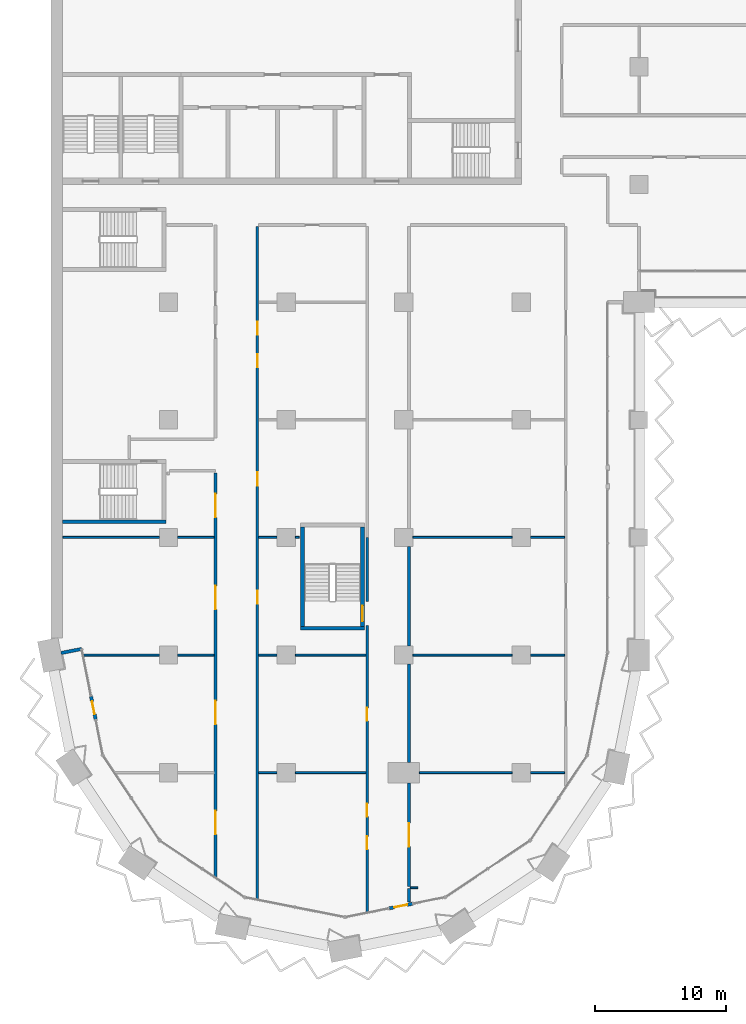
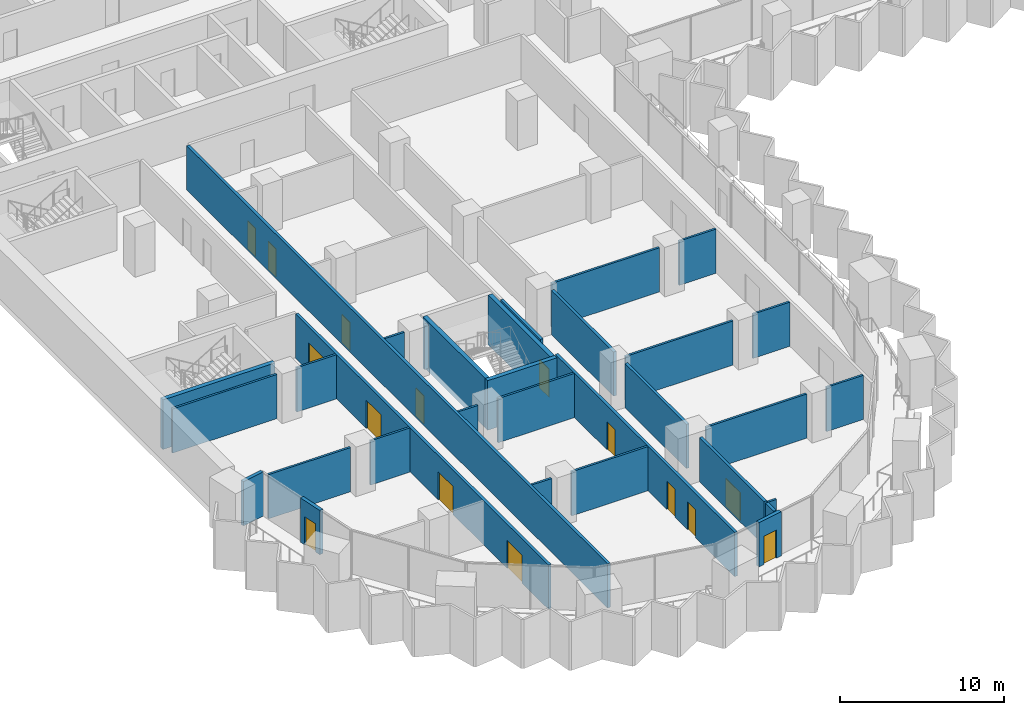
# One storey, part 10 of 28: 32 walls, 15 doors, 15 openings.
"""IFC4 building model written with IfcOpenShell, lengths in metres."""

from ifc_helpers import new_model, si_unit, direction, frame, frame_2d, origin, place, context, subcontext, project, spatial, rectangle, extrude, material, layer, layer_set, type_object, element, fill, save


model = new_model("IFC4")

# Units and contexts
model_context = context("Model", 3, precision=1e-05, world=origin(), true_north=direction((0.0, 1.0)))
body_context = subcontext(model_context, "Body", "Model", "MODEL_VIEW")
ifc_project = project(units=[si_unit("LENGTHUNIT", "METRE"), si_unit("AREAUNIT", "SQUARE_METRE"), si_unit("VOLUMEUNIT", "CUBIC_METRE"), si_unit("PLANEANGLEUNIT", "RADIAN"), si_unit("MASSUNIT", "GRAM", prefix="KILO")], contexts=[model_context])

# Site, building, storey
site_placement = place(None, origin())
site = spatial("IfcSite", under=ifc_project, at=site_placement, CompositionType="ELEMENT")
building_placement = place(site_placement, origin())
building = spatial("IfcBuilding", under=site, at=building_placement, Name="Hunhe Ridgeline Campus", CompositionType="ELEMENT")
storey_placement = place(building_placement, frame((0.0, 0.0, 72.800048828125)))
storey = spatial("IfcBuildingStorey", under=building, at=storey_placement, Name="L17", CompositionType="ELEMENT", Elevation=72.800048828125)

# Wall
ifc_material_1 = material(Name="Concrete C30", Category="concrete")
ifc_layer_1 = layer(ifc_material_1, 0.25)
ifc_layer_set_1 = layer_set([ifc_layer_1], Name="Corner return wall 250 Concrete C30")
wall_type_1 = type_object("IfcWallType", Name="Corner return wall 250 Concrete C30", PredefinedType="SOLIDWALL", material=ifc_layer_set_1)
wall_1_placement = place(storey_placement, frame((0.784423828125, 27.15673828125, 0.0), z_axis=(0.0, 0.0, 1.0), x_axis=(0.980826234823, 0.19488431718, 0.0)))
element("IfcWall", 1, at=wall_1_placement, inside=storey, type_object=wall_type_1, Name="Corner return wall 1", PredefinedType="SOLIDWALL", context=body_context, shape_type="SweptSolid", body=[
    extrude(rectangle(XDim=1.60107421875, YDim=0.25, at=frame_2d((0.800537109375, 0.0))), origin(), (0.0, 0.0, 1.0), 3.300048828125),
])

# Wall, openings, doors
ifc_material_2 = material(Name="Gypsum board partition")
ifc_layer_2 = layer(ifc_material_2, 0.199951171875)
ifc_layer_set_2 = layer_set([ifc_layer_2], Name="Corridor partition 200 gypsum board on steel studs")
wall_type_2 = type_object("IfcWallType", Name="Corridor partition 200 gypsum board on steel studs", PredefinedType="PARTITIONING", material=ifc_layer_set_2)
wall_2_placement = place(storey_placement, frame((12.60009765625, 10.027099609375, 0.0), z_axis=(0.0, 0.0, 1.0), x_axis=(0.0, 1.0, 0.0)))
wall_2 = element("IfcWall", 2, at=wall_2_placement, inside=storey, type_object=wall_type_2, Name="F-L17-wall-047", PredefinedType="PARTITIONING", context=body_context, shape_type="SweptSolid", body=[
    extrude(rectangle(XDim=30.921142578125, YDim=0.199951171875, at=frame_2d((15.46044921875, 0.0))), origin(), (0.0, 0.0, 1.0), 3.300048828125),
])
opening_1_placement = place(wall_2_placement, frame((3.248046875, 0.0, 0.0)))
opening_1 = element("IfcOpeningElement", 3, at=opening_1_placement, cuts=wall_2, Name="Opening RD2-003", PredefinedType="OPENING", context=body_context, shape_type="SweptSolid", body=[
    extrude(rectangle(XDim=1.800048828125, YDim=2.10009765625, at=frame_2d((0.89990234375, 1.050048828125))), frame((0.0, 0.10009765625, 0.0), z_axis=(0.0, -1.0, 0.0), x_axis=(1.0, 0.0, 0.0)), (0.0, 0.0, 1.0), 0.199951171875),
])
opening_2_placement = place(wall_2_placement, frame((11.669677734375, 0.0, 0.0)))
opening_2 = element("IfcOpeningElement", 4, at=opening_2_placement, cuts=wall_2, Name="Opening RD2-007", PredefinedType="OPENING", context=body_context, shape_type="SweptSolid", body=[
    extrude(rectangle(XDim=1.800048828125, YDim=2.10009765625, at=frame_2d((0.89990234375, 1.050048828125))), frame((0.0, 0.10009765625, 0.0), z_axis=(0.0, -1.0, 0.0), x_axis=(1.0, 0.0, 0.0)), (0.0, 0.0, 1.0), 0.199951171875),
])
opening_3_placement = place(wall_2_placement, frame((20.46826171875, 0.0, 0.0)))
opening_3 = element("IfcOpeningElement", 5, at=opening_3_placement, cuts=wall_2, Name="Opening RD2-008", PredefinedType="OPENING", context=body_context, shape_type="SweptSolid", body=[
    extrude(rectangle(XDim=1.800048828125, YDim=2.10009765625, at=frame_2d((0.89990234375, 1.050048828125))), frame((0.0, 0.10009765625, 0.0), z_axis=(0.0, -1.0, 0.0), x_axis=(1.0, 0.0, 0.0)), (0.0, 0.0, 1.0), 0.199951171875),
])
opening_4_placement = place(wall_2_placement, frame((27.50732421875, 0.0, 0.0)))
opening_4 = element("IfcOpeningElement", 6, at=opening_4_placement, cuts=wall_2, Name="Opening RD2-011", PredefinedType="OPENING", context=body_context, shape_type="SweptSolid", body=[
    extrude(rectangle(XDim=1.800048828125, YDim=2.10009765625, at=frame_2d((0.89990234375, 1.050048828125))), frame((0.0, 0.10009765625, 0.0), z_axis=(0.0, -1.0, 0.0), x_axis=(1.0, 0.0, 0.0)), (0.0, 0.0, 1.0), 0.199951171875),
])
ifc_material_3 = material(Name="Timber door leaf", Category="wood")
door_type_1 = type_object("IfcDoorType", Name="Double fire door 1800x2100 timber FD60", OperationType="DOUBLE_DOOR_SINGLE_SWING", PredefinedType="DOOR", material=ifc_material_3)
door_1_placement = place(opening_1_placement, origin())
door_1 = element("IfcDoor", 7, at=door_1_placement, inside=storey, type_object=door_type_1, Name="F-L17-door-003", OperationType="DOUBLE_DOOR_SINGLE_SWING", OverallHeight=2.10009765625, OverallWidth=1.800048828125, PredefinedType="DOOR", context=body_context, shape_type="SweptSolid", body=[
    extrude(rectangle(XDim=1.800048828125, YDim=2.10009765625, at=frame_2d((0.89990234375, 1.050048828125))), frame((0.0, 0.02490234375, 0.0), z_axis=(0.0, -1.0, 0.0), x_axis=(1.0, 0.0, 0.0)), (0.0, 0.0, 1.0), 0.050048828125),
])
fill(opening_1, door_1)
door_2_placement = place(opening_2_placement, origin())
door_2 = element("IfcDoor", 8, at=door_2_placement, inside=storey, type_object=door_type_1, Name="F-L17-door-007", OperationType="DOUBLE_DOOR_SINGLE_SWING", OverallHeight=2.10009765625, OverallWidth=1.800048828125, PredefinedType="DOOR", context=body_context, shape_type="SweptSolid", body=[
    extrude(rectangle(XDim=1.800048828125, YDim=2.10009765625, at=frame_2d((0.89990234375, 1.050048828125))), frame((0.0, 0.02490234375, 0.0), z_axis=(0.0, -1.0, 0.0), x_axis=(1.0, 0.0, 0.0)), (0.0, 0.0, 1.0), 0.050048828125),
])
fill(opening_2, door_2)
door_3_placement = place(opening_3_placement, origin())
door_3 = element("IfcDoor", 9, at=door_3_placement, inside=storey, type_object=door_type_1, Name="F-L17-door-008", OperationType="DOUBLE_DOOR_SINGLE_SWING", OverallHeight=2.10009765625, OverallWidth=1.800048828125, PredefinedType="DOOR", context=body_context, shape_type="SweptSolid", body=[
    extrude(rectangle(XDim=1.800048828125, YDim=2.10009765625, at=frame_2d((0.89990234375, 1.050048828125))), frame((0.0, 0.02490234375, 0.0), z_axis=(0.0, -1.0, 0.0), x_axis=(1.0, 0.0, 0.0)), (0.0, 0.0, 1.0), 0.050048828125),
])
fill(opening_3, door_3)
door_4_placement = place(opening_4_placement, origin())
door_4 = element("IfcDoor", 10, at=door_4_placement, inside=storey, type_object=door_type_1, Name="F-L17-door-011", OperationType="DOUBLE_DOOR_SINGLE_SWING", OverallHeight=2.10009765625, OverallWidth=1.800048828125, PredefinedType="DOOR", context=body_context, shape_type="SweptSolid", body=[
    extrude(rectangle(XDim=1.800048828125, YDim=2.10009765625, at=frame_2d((0.89990234375, 1.050048828125))), frame((0.0, 0.02490234375, 0.0), z_axis=(0.0, -1.0, 0.0), x_axis=(1.0, 0.0, 0.0)), (0.0, 0.0, 1.0), 0.050048828125),
])
fill(opening_4, door_4)

wall_3_placement = place(storey_placement, frame((15.800048828125, 59.800048828125, 0.0), z_axis=(0.0, 0.0, 1.0), x_axis=(0.0, -1.0, 0.0)))
wall_3 = element("IfcWall", 11, at=wall_3_placement, inside=storey, type_object=wall_type_2, Name="F-L17-wall-049", PredefinedType="PARTITIONING", context=body_context, shape_type="SweptSolid", body=[
    extrude(rectangle(XDim=51.46435546875, YDim=0.199951171875, at=frame_2d((25.732177734375, 0.0))), origin(), (0.0, 0.0, 1.0), 3.300048828125),
])
opening_5_placement = place(wall_3_placement, frame((27.8681640625, 0.0, 0.0)))
opening_5 = element("IfcOpeningElement", 12, at=opening_5_placement, cuts=wall_3, Name="Opening RD1-009", PredefinedType="OPENING", context=body_context, shape_type="SweptSolid", body=[
    extrude(rectangle(XDim=1.0, YDim=2.10009765625, at=frame_2d((0.5, 1.050048828125))), frame((0.0, 0.10009765625, 0.0), z_axis=(0.0, -1.0, 0.0), x_axis=(1.0, 0.0, 0.0)), (0.0, 0.0, 1.0), 0.199951171875),
])
opening_6_placement = place(wall_3_placement, frame((18.83056640625, 0.0, 0.0)))
opening_6 = element("IfcOpeningElement", 13, at=opening_6_placement, cuts=wall_3, Name="Opening RD1-012", PredefinedType="OPENING", context=body_context, shape_type="SweptSolid", body=[
    extrude(rectangle(XDim=1.0, YDim=2.10009765625, at=frame_2d((0.5, 1.050048828125))), frame((0.0, 0.10009765625, 0.0), z_axis=(0.0, -1.0, 0.0), x_axis=(1.0, 0.0, 0.0)), (0.0, 0.0, 1.0), 0.199951171875),
])
opening_7_placement = place(wall_3_placement, frame((9.792724609375, 0.0, 0.0)))
opening_7 = element("IfcOpeningElement", 14, at=opening_7_placement, cuts=wall_3, Name="Opening RD1-014", PredefinedType="OPENING", context=body_context, shape_type="SweptSolid", body=[
    extrude(rectangle(XDim=1.0, YDim=2.10009765625, at=frame_2d((0.5, 1.050048828125))), frame((0.0, 0.10009765625, 0.0), z_axis=(0.0, -1.0, 0.0), x_axis=(1.0, 0.0, 0.0)), (0.0, 0.0, 1.0), 0.199951171875),
])
opening_8_placement = place(wall_3_placement, frame((7.292724609375, 0.0, 0.0)))
opening_8 = element("IfcOpeningElement", 15, at=opening_8_placement, cuts=wall_3, Name="Opening RD1-016", PredefinedType="OPENING", context=body_context, shape_type="SweptSolid", body=[
    extrude(rectangle(XDim=1.0, YDim=2.10009765625, at=frame_2d((0.5, 1.050048828125))), frame((0.0, 0.10009765625, 0.0), z_axis=(0.0, -1.0, 0.0), x_axis=(1.0, 0.0, 0.0)), (0.0, 0.0, 1.0), 0.199951171875),
])
door_type_2 = type_object("IfcDoorType", Name="Single fire door 1000x2100 timber FD60", OperationType="NOTDEFINED", PredefinedType="DOOR", material=ifc_material_3)
door_5_placement = place(opening_5_placement, origin())
door_5 = element("IfcDoor", 16, at=door_5_placement, inside=storey, type_object=door_type_2, Name="F-L17-door-009", OperationType="SINGLE_SWING_LEFT", OverallHeight=2.10009765625, OverallWidth=1.0, PredefinedType="DOOR", context=body_context, shape_type="SweptSolid", body=[
    extrude(rectangle(XDim=1.0, YDim=2.10009765625, at=frame_2d((0.5, 1.050048828125))), frame((0.0, 0.02490234375, 0.0), z_axis=(0.0, -1.0, 0.0), x_axis=(1.0, 0.0, 0.0)), (0.0, 0.0, 1.0), 0.050048828125),
])
fill(opening_5, door_5)
door_6_placement = place(opening_6_placement, origin())
door_6 = element("IfcDoor", 17, at=door_6_placement, inside=storey, type_object=door_type_2, Name="F-L17-door-012", OperationType="SINGLE_SWING_LEFT", OverallHeight=2.10009765625, OverallWidth=1.0, PredefinedType="DOOR", context=body_context, shape_type="SweptSolid", body=[
    extrude(rectangle(XDim=1.0, YDim=2.10009765625, at=frame_2d((0.5, 1.050048828125))), frame((0.0, 0.02490234375, 0.0), z_axis=(0.0, -1.0, 0.0), x_axis=(1.0, 0.0, 0.0)), (0.0, 0.0, 1.0), 0.050048828125),
])
fill(opening_6, door_6)
door_7_placement = place(opening_7_placement, frame((1.0, 0.0, 0.0), z_axis=(0.0, 0.0, 1.0), x_axis=(-1.0, 0.0, 0.0)))
door_7 = element("IfcDoor", 18, at=door_7_placement, inside=storey, type_object=door_type_2, Name="F-L17-door-014", OperationType="SINGLE_SWING_RIGHT", OverallHeight=2.10009765625, OverallWidth=1.0, PredefinedType="DOOR", context=body_context, shape_type="SweptSolid", body=[
    extrude(rectangle(XDim=1.0, YDim=2.10009765625, at=frame_2d((0.5, 1.050048828125))), frame((0.0, 0.02490234375, 0.0), z_axis=(0.0, -1.0, 0.0), x_axis=(1.0, 0.0, 0.0)), (0.0, 0.0, 1.0), 0.050048828125),
])
fill(opening_7, door_7)
door_8_placement = place(opening_8_placement, frame((1.0, 0.0, 0.0), z_axis=(0.0, 0.0, 1.0), x_axis=(-1.0, 0.0, 0.0)))
door_8 = element("IfcDoor", 19, at=door_8_placement, inside=storey, type_object=door_type_2, Name="F-L17-door-016", OperationType="SINGLE_SWING_RIGHT", OverallHeight=2.10009765625, OverallWidth=1.0, PredefinedType="DOOR", context=body_context, shape_type="SweptSolid", body=[
    extrude(rectangle(XDim=1.0, YDim=2.10009765625, at=frame_2d((0.5, 1.050048828125))), frame((0.0, 0.02490234375, 0.0), z_axis=(0.0, -1.0, 0.0), x_axis=(1.0, 0.0, 0.0)), (0.0, 0.0, 1.0), 0.050048828125),
])
fill(opening_8, door_8)

# Wall
wall_4_placement = place(storey_placement, frame((24.199951171875, 31.095458984375, 0.0), z_axis=(0.0, 0.0, 1.0), x_axis=(0.0, 1.0, 0.0)))
element("IfcWall", 20, at=wall_4_placement, inside=storey, type_object=wall_type_2, Name="F-L17-wall-050", PredefinedType="PARTITIONING", context=body_context, shape_type="SweptSolid", body=[
    extrude(rectangle(XDim=4.88427734375, YDim=0.199951171875, at=frame_2d((2.442138671875, 0.0))), origin(), (0.0, 0.0, 1.0), 3.300048828125),
])

# Wall, openings, doors
wall_5_placement = place(storey_placement, frame((24.199951171875, 7.34130859375, 0.0), z_axis=(0.0, 0.0, 1.0), x_axis=(0.0, 1.0, 0.0)))
wall_5 = element("IfcWall", 21, at=wall_5_placement, inside=storey, type_object=wall_type_2, Name="F-L17-wall-051", PredefinedType="PARTITIONING", context=body_context, shape_type="SweptSolid", body=[
    extrude(rectangle(XDim=21.93359375, YDim=0.199951171875, at=frame_2d((10.966796875, 0.0))), origin(), (0.0, 0.0, 1.0), 3.300048828125),
])
opening_9_placement = place(wall_5_placement, frame((4.79443359375, 0.0, 0.0)))
opening_9 = element("IfcOpeningElement", 22, at=opening_9_placement, cuts=wall_5, Name="Opening RD1-001", PredefinedType="OPENING", context=body_context, shape_type="SweptSolid", body=[
    extrude(rectangle(XDim=1.0, YDim=2.10009765625, at=frame_2d((0.5, 1.050048828125))), frame((0.0, 0.10009765625, 0.0), z_axis=(0.0, -1.0, 0.0), x_axis=(1.0, 0.0, 0.0)), (0.0, 0.0, 1.0), 0.199951171875),
])
opening_10_placement = place(wall_5_placement, frame((7.29443359375, 0.0, 0.0)))
opening_10 = element("IfcOpeningElement", 23, at=opening_10_placement, cuts=wall_5, Name="Opening RD1-004", PredefinedType="OPENING", context=body_context, shape_type="SweptSolid", body=[
    extrude(rectangle(XDim=1.0, YDim=2.10009765625, at=frame_2d((0.5, 1.050048828125))), frame((0.0, 0.10009765625, 0.0), z_axis=(0.0, -1.0, 0.0), x_axis=(1.0, 0.0, 0.0)), (0.0, 0.0, 1.0), 0.199951171875),
])
opening_11_placement = place(wall_5_placement, frame((14.626708984375, 0.0, 0.0)))
opening_11 = element("IfcOpeningElement", 24, at=opening_11_placement, cuts=wall_5, Name="Opening RD1-005", PredefinedType="OPENING", context=body_context, shape_type="SweptSolid", body=[
    extrude(rectangle(XDim=1.0, YDim=2.10009765625, at=frame_2d((0.5, 1.050048828125))), frame((0.0, 0.10009765625, 0.0), z_axis=(0.0, -1.0, 0.0), x_axis=(1.0, 0.0, 0.0)), (0.0, 0.0, 1.0), 0.199951171875),
])
door_9_placement = place(opening_9_placement, frame((1.0, 0.0, 0.0), z_axis=(0.0, 0.0, 1.0), x_axis=(-1.0, 0.0, 0.0)))
door_9 = element("IfcDoor", 25, at=door_9_placement, inside=storey, type_object=door_type_2, Name="F-L17-door-001", OperationType="SINGLE_SWING_RIGHT", OverallHeight=2.10009765625, OverallWidth=1.0, PredefinedType="DOOR", context=body_context, shape_type="SweptSolid", body=[
    extrude(rectangle(XDim=1.0, YDim=2.10009765625, at=frame_2d((0.5, 1.050048828125))), frame((0.0, 0.02490234375, 0.0), z_axis=(0.0, -1.0, 0.0), x_axis=(1.0, 0.0, 0.0)), (0.0, 0.0, 1.0), 0.050048828125),
])
fill(opening_9, door_9)
door_10_placement = place(opening_10_placement, frame((1.0, 0.0, 0.0), z_axis=(0.0, 0.0, 1.0), x_axis=(-1.0, 0.0, 0.0)))
door_10 = element("IfcDoor", 26, at=door_10_placement, inside=storey, type_object=door_type_2, Name="F-L17-door-004", OperationType="SINGLE_SWING_LEFT", OverallHeight=2.10009765625, OverallWidth=1.0, PredefinedType="DOOR", context=body_context, shape_type="SweptSolid", body=[
    extrude(rectangle(XDim=1.0, YDim=2.10009765625, at=frame_2d((0.5, 1.050048828125))), frame((0.0, 0.02490234375, 0.0), z_axis=(0.0, -1.0, 0.0), x_axis=(1.0, 0.0, 0.0)), (0.0, 0.0, 1.0), 0.050048828125),
])
fill(opening_10, door_10)
door_11_placement = place(opening_11_placement, origin())
door_11 = element("IfcDoor", 27, at=door_11_placement, inside=storey, type_object=door_type_2, Name="F-L17-door-005", OperationType="SINGLE_SWING_RIGHT", OverallHeight=2.10009765625, OverallWidth=1.0, PredefinedType="DOOR", context=body_context, shape_type="SweptSolid", body=[
    extrude(rectangle(XDim=1.0, YDim=2.10009765625, at=frame_2d((0.5, 1.050048828125))), frame((0.0, 0.02490234375, 0.0), z_axis=(0.0, -1.0, 0.0), x_axis=(1.0, 0.0, 0.0)), (0.0, 0.0, 1.0), 0.050048828125),
])
fill(opening_11, door_11)

# Wall
wall_6_placement = place(storey_placement, frame((27.39990234375, 9.1240234375, 0.0), z_axis=(0.0, 0.0, 1.0), x_axis=(0.0, -1.0, 0.0)))
element("IfcWall", 28, at=wall_6_placement, inside=storey, type_object=wall_type_2, Name="F-L17-wall-053", PredefinedType="PARTITIONING", context=body_context, shape_type="SweptSolid", body=[
    extrude(rectangle(XDim=1.011474609375, YDim=0.199951171875, at=frame_2d((0.505859375, 0.0))), origin(), (0.0, 0.0, 1.0), 3.300048828125),
])

# Wall, opening, door
wall_7_placement = place(storey_placement, frame((27.39990234375, 17.199951171875, 0.0), z_axis=(0.0, 0.0, 1.0), x_axis=(0.0, -1.0, 0.0)))
wall_7 = element("IfcWall", 29, at=wall_7_placement, inside=storey, type_object=wall_type_2, Name="F-L17-wall-054", PredefinedType="PARTITIONING", context=body_context, shape_type="SweptSolid", body=[
    extrude(rectangle(XDim=7.90087890625, YDim=0.199951171875, at=frame_2d((3.950439453125, 0.0))), origin(), (0.0, 0.0, 1.0), 3.300048828125),
])
opening_12_placement = place(wall_7_placement, frame((3.050537109375, 0.0, 0.0)))
opening_12 = element("IfcOpeningElement", 30, at=opening_12_placement, cuts=wall_7, Name="Opening RD2-002", PredefinedType="OPENING", context=body_context, shape_type="SweptSolid", body=[
    extrude(rectangle(XDim=1.800048828125, YDim=2.10009765625, at=frame_2d((0.89990234375, 1.050048828125))), frame((0.0, 0.10009765625, 0.0), z_axis=(0.0, -1.0, 0.0), x_axis=(1.0, 0.0, 0.0)), (0.0, 0.0, 1.0), 0.199951171875),
])
door_12_placement = place(opening_12_placement, origin())
door_12 = element("IfcDoor", 31, at=door_12_placement, inside=storey, type_object=door_type_1, Name="F-L17-door-002", OperationType="DOUBLE_DOOR_SINGLE_SWING", OverallHeight=2.10009765625, OverallWidth=1.800048828125, PredefinedType="DOOR", context=body_context, shape_type="SweptSolid", body=[
    extrude(rectangle(XDim=1.800048828125, YDim=2.10009765625, at=frame_2d((0.89990234375, 1.050048828125))), frame((0.0, 0.02490234375, 0.0), z_axis=(0.0, -1.0, 0.0), x_axis=(1.0, 0.0, 0.0)), (0.0, 0.0, 1.0), 0.050048828125),
])
fill(opening_12, door_12)

# Walls
wall_8_placement = place(storey_placement, frame((27.39990234375, 26.300048828125, 0.0), z_axis=(0.0, 0.0, 1.0), x_axis=(0.0, -1.0, 0.0)))
element("IfcWall", 32, at=wall_8_placement, inside=storey, type_object=wall_type_2, Name="F-L17-wall-055", PredefinedType="PARTITIONING", context=body_context, shape_type="SweptSolid", body=[
    extrude(rectangle(XDim=7.5, YDim=0.199951171875, at=frame_2d((3.75, 0.0))), origin(), (0.0, 0.0, 1.0), 3.300048828125),
])
wall_9_placement = place(storey_placement, frame((27.39990234375, 35.300048828125, 0.0), z_axis=(0.0, 0.0, 1.0), x_axis=(0.0, -1.0, 0.0)))
element("IfcWall", 33, at=wall_9_placement, inside=storey, type_object=wall_type_2, Name="F-L17-wall-056", PredefinedType="PARTITIONING", context=body_context, shape_type="SweptSolid", body=[
    extrude(rectangle(XDim=7.60009765625, YDim=0.199951171875, at=frame_2d((3.800048828125, 0.0))), origin(), (0.0, 0.0, 1.0), 3.300048828125),
])

# Wall, opening, door
ifc_layer_3 = layer(ifc_material_1, 0.25)
ifc_layer_set_3 = layer_set([ifc_layer_3], Name="Loggia door pier wall 250 Concrete C30")
wall_type_3 = type_object("IfcWallType", Name="Loggia door pier wall 250 Concrete C30", PredefinedType="SOLIDWALL", material=ifc_layer_set_3)
wall_10_placement = place(storey_placement, frame((3.076904296875, 23.8388671875, 0.0), z_axis=(0.0, 0.0, 1.0), x_axis=(0.195046569833, -0.980793982239, 0.0)))
wall_10 = element("IfcWall", 34, at=wall_10_placement, inside=storey, type_object=wall_type_3, Name="Loggia door pier 1", PredefinedType="SOLIDWALL", context=body_context, shape_type="SweptSolid", body=[
    extrude(rectangle(XDim=1.800048828125, YDim=0.25, at=frame_2d((0.89990234375, 0.0))), origin(), (0.0, 0.0, 1.0), 3.300048828125),
])
opening_13_placement = place(wall_10_placement, frame((0.39990234375, 0.0, 0.0)))
opening_13 = element("IfcOpeningElement", 35, at=opening_13_placement, cuts=wall_10, Name="Opening BD101", PredefinedType="OPENING", context=body_context, shape_type="SweptSolid", body=[
    extrude(rectangle(XDim=1.0, YDim=2.10009765625, at=frame_2d((0.5, 1.050048828125))), frame((0.0, 0.125, 0.0), z_axis=(0.0, -1.0, 0.0), x_axis=(1.0, 0.0, 0.0)), (0.0, 0.0, 1.0), 0.25),
])
ifc_material_4 = material(Name="Aluminium 6063", Category="aluminium")
door_type_3 = type_object("IfcDoorType", Name="Loggia glazed door 1000x2100", OperationType="NOTDEFINED", PredefinedType="DOOR", material=ifc_material_4)
door_13_placement = place(opening_13_placement, frame((1.0, 0.0, 0.0), z_axis=(0.0, 0.0, 1.0), x_axis=(-1.0, 0.0, 0.0)))
door_13 = element("IfcDoor", 36, at=door_13_placement, inside=storey, type_object=door_type_3, Name="Loggia door BD101", OperationType="SINGLE_SWING_RIGHT", OverallHeight=2.10009765625, OverallWidth=1.0, PredefinedType="DOOR", context=body_context, shape_type="SweptSolid", body=[
    extrude(rectangle(XDim=1.0, YDim=2.10009765625, at=frame_2d((0.5, 1.050048828125))), frame((0.0, 0.02490234375, 0.0), z_axis=(0.0, -1.0, 0.0), x_axis=(1.0, 0.0, 0.0)), (0.0, 0.0, 1.0), 0.050048828125),
])
fill(opening_13, door_13)

wall_11_placement = place(storey_placement, frame((25.8955078125, 7.62353515625, 0.0), z_axis=(0.0, 0.0, 1.0), x_axis=(0.980793982239, 0.195046569833, 0.0)))
wall_11 = element("IfcWall", 37, at=wall_11_placement, inside=storey, type_object=wall_type_3, Name="Loggia door pier 2", PredefinedType="SOLIDWALL", context=body_context, shape_type="SweptSolid", body=[
    extrude(rectangle(XDim=1.800048828125, YDim=0.25, at=frame_2d((0.89990234375, 0.0))), origin(), (0.0, 0.0, 1.0), 3.300048828125),
])
opening_14_placement = place(wall_11_placement, frame((0.39990234375, 0.0, 0.0)))
opening_14 = element("IfcOpeningElement", 38, at=opening_14_placement, cuts=wall_11, Name="Opening BD103", PredefinedType="OPENING", context=body_context, shape_type="SweptSolid", body=[
    extrude(rectangle(XDim=1.0, YDim=2.10009765625, at=frame_2d((0.5, 1.050048828125))), frame((0.0, 0.125, 0.0), z_axis=(0.0, -1.0, 0.0), x_axis=(1.0, 0.0, 0.0)), (0.0, 0.0, 1.0), 0.25),
])
door_14_placement = place(opening_14_placement, frame((1.0, 0.0, 0.0), z_axis=(0.0, 0.0, 1.0), x_axis=(-1.0, 0.0, 0.0)))
door_14 = element("IfcDoor", 39, at=door_14_placement, inside=storey, type_object=door_type_3, Name="Loggia door BD103", OperationType="SINGLE_SWING_RIGHT", OverallHeight=2.10009765625, OverallWidth=1.0, PredefinedType="DOOR", context=body_context, shape_type="SweptSolid", body=[
    extrude(rectangle(XDim=1.0, YDim=2.10009765625, at=frame_2d((0.5, 1.050048828125))), frame((0.0, 0.02490234375, 0.0), z_axis=(0.0, -1.0, 0.0), x_axis=(1.0, 0.0, 0.0)), (0.0, 0.0, 1.0), 0.050048828125),
])
fill(opening_14, door_14)

# Walls
ifc_layer_4 = layer(ifc_material_2, 0.14990234375)
ifc_layer_set_4 = layer_set([ifc_layer_4], Name="Room partition 150 gypsum board on steel studs")
wall_type_4 = type_object("IfcWallType", Name="Room partition 150 gypsum board on steel studs", PredefinedType="PARTITIONING", material=ifc_layer_set_4)
wall_12_placement = place(storey_placement, frame((27.5, 9.198974609375, 0.0), z_axis=(0.0, 0.0, 1.0), x_axis=(1.0, 0.0, 0.0)))
element("IfcWall", 40, at=wall_12_placement, inside=storey, type_object=wall_type_4, Name="F-L17-wall-001", PredefinedType="PARTITIONING", context=body_context, shape_type="SweptSolid", body=[
    extrude(rectangle(XDim=0.578125, YDim=0.14990234375, at=frame_2d((0.2890625, 0.0))), origin(), (0.0, 0.0, 1.0), 3.300048828125),
])
wall_13_placement = place(storey_placement, frame((15.89990234375, 18.0, 0.0), z_axis=(0.0, 0.0, 1.0), x_axis=(1.0, 0.0, 0.0)))
element("IfcWall", 41, at=wall_13_placement, inside=storey, type_object=wall_type_4, Name="F-L17-wall-004", PredefinedType="PARTITIONING", context=body_context, shape_type="SweptSolid", body=[
    extrude(rectangle(XDim=1.400146484375, YDim=0.14990234375, at=frame_2d((0.7001953125, 0.0))), origin(), (0.0, 0.0, 1.0), 3.300048828125),
])
wall_14_placement = place(storey_placement, frame((18.699951171875, 18.0, 0.0), z_axis=(0.0, 0.0, 1.0), x_axis=(1.0, 0.0, 0.0)))
element("IfcWall", 42, at=wall_14_placement, inside=storey, type_object=wall_type_4, Name="F-L17-wall-005", PredefinedType="PARTITIONING", context=body_context, shape_type="SweptSolid", body=[
    extrude(rectangle(XDim=5.400146484375, YDim=0.14990234375, at=frame_2d((2.7001953125, 0.0))), origin(), (0.0, 0.0, 1.0), 3.300048828125),
])
wall_15_placement = place(storey_placement, frame((28.199951171875, 18.0, 0.0), z_axis=(0.0, 0.0, 1.0), x_axis=(1.0, 0.0, 0.0)))
element("IfcWall", 43, at=wall_15_placement, inside=storey, type_object=wall_type_4, Name="F-L17-wall-006", PredefinedType="PARTITIONING", context=body_context, shape_type="SweptSolid", body=[
    extrude(rectangle(XDim=7.10009765625, YDim=0.14990234375, at=frame_2d((3.550048828125, 0.0))), origin(), (0.0, 0.0, 1.0), 3.300048828125),
])
wall_16_placement = place(storey_placement, frame((36.699951171875, 18.0, 0.0), z_axis=(0.0, 0.0, 1.0), x_axis=(1.0, 0.0, 0.0)))
element("IfcWall", 44, at=wall_16_placement, inside=storey, type_object=wall_type_4, Name="F-L17-wall-007", PredefinedType="PARTITIONING", context=body_context, shape_type="SweptSolid", body=[
    extrude(rectangle(XDim=2.60009765625, YDim=0.14990234375, at=frame_2d((1.300048828125, 0.0))), origin(), (0.0, 0.0, 1.0), 3.300048828125),
])
wall_17_placement = place(storey_placement, frame((2.503173828125, 27.0, 0.0), z_axis=(0.0, 0.0, 1.0), x_axis=(1.0, 0.0, 0.0)))
element("IfcWall", 45, at=wall_17_placement, inside=storey, type_object=wall_type_4, Name="F-L17-wall-008", PredefinedType="PARTITIONING", context=body_context, shape_type="SweptSolid", body=[
    extrude(rectangle(XDim=5.796875, YDim=0.14990234375, at=frame_2d((2.8984375, 0.0))), origin(), (0.0, 0.0, 1.0), 3.300048828125),
])
wall_18_placement = place(storey_placement, frame((9.699951171875, 27.0, 0.0), z_axis=(0.0, 0.0, 1.0), x_axis=(1.0, 0.0, 0.0)))
element("IfcWall", 46, at=wall_18_placement, inside=storey, type_object=wall_type_4, Name="F-L17-wall-009", PredefinedType="PARTITIONING", context=body_context, shape_type="SweptSolid", body=[
    extrude(rectangle(XDim=2.800048828125, YDim=0.14990234375, at=frame_2d((1.39990234375, 0.0))), origin(), (0.0, 0.0, 1.0), 3.300048828125),
])
wall_19_placement = place(storey_placement, frame((15.89990234375, 27.0, 0.0), z_axis=(0.0, 0.0, 1.0), x_axis=(1.0, 0.0, 0.0)))
element("IfcWall", 47, at=wall_19_placement, inside=storey, type_object=wall_type_4, Name="F-L17-wall-010", PredefinedType="PARTITIONING", context=body_context, shape_type="SweptSolid", body=[
    extrude(rectangle(XDim=1.400146484375, YDim=0.14990234375, at=frame_2d((0.7001953125, 0.0))), origin(), (0.0, 0.0, 1.0), 3.300048828125),
])
wall_20_placement = place(storey_placement, frame((18.699951171875, 27.0, 0.0), z_axis=(0.0, 0.0, 1.0), x_axis=(1.0, 0.0, 0.0)))
element("IfcWall", 48, at=wall_20_placement, inside=storey, type_object=wall_type_4, Name="F-L17-wall-011", PredefinedType="PARTITIONING", context=body_context, shape_type="SweptSolid", body=[
    extrude(rectangle(XDim=5.400146484375, YDim=0.14990234375, at=frame_2d((2.7001953125, 0.0))), origin(), (0.0, 0.0, 1.0), 3.300048828125),
])
wall_21_placement = place(storey_placement, frame((27.699951171875, 27.0, 0.0), z_axis=(0.0, 0.0, 1.0), x_axis=(1.0, 0.0, 0.0)))
element("IfcWall", 49, at=wall_21_placement, inside=storey, type_object=wall_type_4, Name="F-L17-wall-012", PredefinedType="PARTITIONING", context=body_context, shape_type="SweptSolid", body=[
    extrude(rectangle(XDim=7.60009765625, YDim=0.14990234375, at=frame_2d((3.800048828125, 0.0))), origin(), (0.0, 0.0, 1.0), 3.300048828125),
])
wall_22_placement = place(storey_placement, frame((36.699951171875, 27.0, 0.0), z_axis=(0.0, 0.0, 1.0), x_axis=(1.0, 0.0, 0.0)))
element("IfcWall", 50, at=wall_22_placement, inside=storey, type_object=wall_type_4, Name="F-L17-wall-013", PredefinedType="PARTITIONING", context=body_context, shape_type="SweptSolid", body=[
    extrude(rectangle(XDim=2.60009765625, YDim=0.14990234375, at=frame_2d((1.300048828125, 0.0))), origin(), (0.0, 0.0, 1.0), 3.300048828125),
])
wall_23_placement = place(storey_placement, frame((0.919921875, 36.0, 0.0), z_axis=(0.0, 0.0, 1.0), x_axis=(1.0, 0.0, 0.0)))
element("IfcWall", 51, at=wall_23_placement, inside=storey, type_object=wall_type_4, Name="F-L17-wall-014", PredefinedType="PARTITIONING", context=body_context, shape_type="SweptSolid", body=[
    extrude(rectangle(XDim=7.380126953125, YDim=0.14990234375, at=frame_2d((3.68994140625, 0.0))), origin(), (0.0, 0.0, 1.0), 3.300048828125),
])
wall_24_placement = place(storey_placement, frame((9.699951171875, 36.0, 0.0), z_axis=(0.0, 0.0, 1.0), x_axis=(1.0, 0.0, 0.0)))
element("IfcWall", 52, at=wall_24_placement, inside=storey, type_object=wall_type_4, Name="F-L17-wall-015", PredefinedType="PARTITIONING", context=body_context, shape_type="SweptSolid", body=[
    extrude(rectangle(XDim=2.800048828125, YDim=0.14990234375, at=frame_2d((1.39990234375, 0.0))), origin(), (0.0, 0.0, 1.0), 3.300048828125),
])
wall_25_placement = place(storey_placement, frame((15.89990234375, 36.0, 0.0), z_axis=(0.0, 0.0, 1.0), x_axis=(1.0, 0.0, 0.0)))
element("IfcWall", 53, at=wall_25_placement, inside=storey, type_object=wall_type_4, Name="F-L17-wall-016", PredefinedType="PARTITIONING", context=body_context, shape_type="SweptSolid", body=[
    extrude(rectangle(XDim=1.400146484375, YDim=0.14990234375, at=frame_2d((0.7001953125, 0.0))), origin(), (0.0, 0.0, 1.0), 3.300048828125),
])
wall_26_placement = place(storey_placement, frame((18.699951171875, 36.0, 0.0), z_axis=(0.0, 0.0, 1.0), x_axis=(1.0, 0.0, 0.0)))
element("IfcWall", 54, at=wall_26_placement, inside=storey, type_object=wall_type_4, Name="F-L17-wall-017", PredefinedType="PARTITIONING", context=body_context, shape_type="SweptSolid", body=[
    extrude(rectangle(XDim=0.296142578125, YDim=0.14990234375, at=frame_2d((0.14794921875, 0.0))), origin(), (0.0, 0.0, 1.0), 3.300048828125),
])
wall_27_placement = place(storey_placement, frame((27.699951171875, 36.0, 0.0), z_axis=(0.0, 0.0, 1.0), x_axis=(1.0, 0.0, 0.0)))
element("IfcWall", 55, at=wall_27_placement, inside=storey, type_object=wall_type_4, Name="F-L17-wall-018", PredefinedType="PARTITIONING", context=body_context, shape_type="SweptSolid", body=[
    extrude(rectangle(XDim=7.60009765625, YDim=0.14990234375, at=frame_2d((3.800048828125, 0.0))), origin(), (0.0, 0.0, 1.0), 3.300048828125),
])
wall_28_placement = place(storey_placement, frame((36.699951171875, 36.0, 0.0), z_axis=(0.0, 0.0, 1.0), x_axis=(1.0, 0.0, 0.0)))
element("IfcWall", 56, at=wall_28_placement, inside=storey, type_object=wall_type_4, Name="F-L17-wall-019", PredefinedType="PARTITIONING", context=body_context, shape_type="SweptSolid", body=[
    extrude(rectangle(XDim=2.60009765625, YDim=0.14990234375, at=frame_2d((1.300048828125, 0.0))), origin(), (0.0, 0.0, 1.0), 3.300048828125),
])
ifc_material_5 = material(Name="Concrete C80", Category="concrete")
ifc_layer_5 = layer(ifc_material_5, 0.300048828125)
ifc_layer_set_5 = layer_set([ifc_layer_5], Name="Stair wall 300 reinforced concrete C80")
wall_type_5 = type_object("IfcWallType", Name="Stair wall 300 reinforced concrete C80", PredefinedType="SOLIDWALL", material=ifc_layer_set_5)
wall_29_placement = place(storey_placement, frame((19.10009765625, 29.050048828125, -0.400146484375), z_axis=(0.0, 0.0, 1.0), x_axis=(1.0, 0.0, 0.0)))
element("IfcWall", 57, at=wall_29_placement, inside=storey, type_object=wall_type_5, Name="L17 core wall 1", PredefinedType="SOLIDWALL", context=body_context, shape_type="SweptSolid", body=[
    extrude(rectangle(XDim=4.89990234375, YDim=0.300048828125, at=frame_2d((2.449951171875, 0.0))), origin(), (0.0, 0.0, 1.0), 3.7001953125),
])
wall_30_placement = place(storey_placement, frame((0.89990234375, 37.199951171875, -0.400146484375), z_axis=(0.0, 0.0, 1.0), x_axis=(1.0, 0.0, 0.0)))
element("IfcWall", 58, at=wall_30_placement, inside=storey, type_object=wall_type_5, Name="L17 core wall 3", PredefinedType="SOLIDWALL", context=body_context, shape_type="SweptSolid", body=[
    extrude(rectangle(XDim=7.900146484375, YDim=0.300048828125, at=frame_2d((3.9501953125, 0.0))), origin(), (0.0, 0.0, 1.0), 3.7001953125),
])
wall_31_placement = place(storey_placement, frame((19.25, 29.199951171875, -0.400146484375), z_axis=(0.0, 0.0, 1.0), x_axis=(0.0, 1.0, 0.0)))
element("IfcWall", 59, at=wall_31_placement, inside=storey, type_object=wall_type_5, Name="L17 core wall 50", PredefinedType="SOLIDWALL", context=body_context, shape_type="SweptSolid", body=[
    extrude(rectangle(XDim=7.60009765625, YDim=0.300048828125, at=frame_2d((3.800048828125, 0.0))), origin(), (0.0, 0.0, 1.0), 3.7001953125),
])

# Wall, opening, door
wall_32_placement = place(storey_placement, frame((23.85009765625, 29.199951171875, -0.400146484375), z_axis=(0.0, 0.0, 1.0), x_axis=(0.0, 1.0, 0.0)))
wall_32 = element("IfcWall", 60, at=wall_32_placement, inside=storey, type_object=wall_type_5, Name="L17 core wall 55", PredefinedType="SOLIDWALL", context=body_context, shape_type="SweptSolid", body=[
    extrude(rectangle(XDim=7.60009765625, YDim=0.300048828125, at=frame_2d((3.800048828125, 0.0))), origin(), (0.0, 0.0, 1.0), 3.7001953125),
])
opening_15_placement = place(wall_32_placement, frame((0.375, 0.0, 0.39990234375)))
opening_15 = element("IfcOpeningElement", 61, at=opening_15_placement, cuts=wall_32, Name="Opening CD23", PredefinedType="OPENING", context=body_context, shape_type="SweptSolid", body=[
    extrude(rectangle(XDim=1.199951171875, YDim=2.10009765625, at=frame_2d((0.60009765625, 1.050048828125))), frame((0.0, 0.14990234375, 0.0), z_axis=(0.0, -1.0, 0.0), x_axis=(1.0, 0.0, 0.0)), (0.0, 0.0, 1.0), 0.300048828125),
])
ifc_material_6 = material(Name="Hollow metal fire door leaf")
door_type_4 = type_object("IfcDoorType", Name="Stair door 1200x2100 FD60", OperationType="SINGLE_SWING_LEFT", PredefinedType="DOOR", material=ifc_material_6)
door_15_placement = place(opening_15_placement, frame((1.199951171875, 0.0, 0.0), z_axis=(0.0, 0.0, 1.0), x_axis=(-1.0, 0.0, 0.0)))
door_15 = element("IfcDoor", 62, at=door_15_placement, inside=storey, type_object=door_type_4, Name="L17 door W3", OperationType="SINGLE_SWING_RIGHT", OverallHeight=2.10009765625, OverallWidth=1.199951171875, PredefinedType="DOOR", context=body_context, shape_type="SweptSolid", body=[
    extrude(rectangle(XDim=1.199951171875, YDim=2.10009765625, at=frame_2d((0.60009765625, 1.050048828125))), frame((0.0, 0.02490234375, 0.0), z_axis=(0.0, -1.0, 0.0), x_axis=(1.0, 0.0, 0.0)), (0.0, 0.0, 1.0), 0.050048828125),
])
fill(opening_15, door_15)

save(model, "model.ifc")
